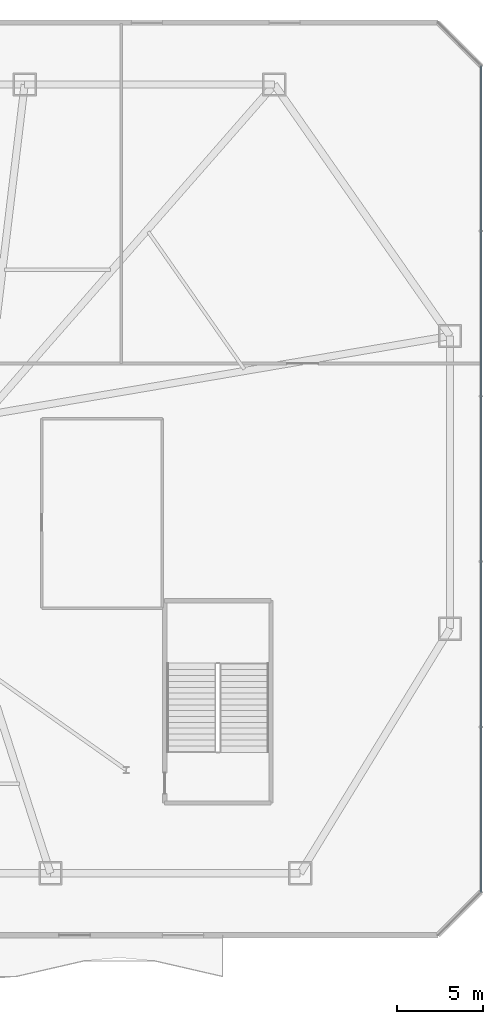
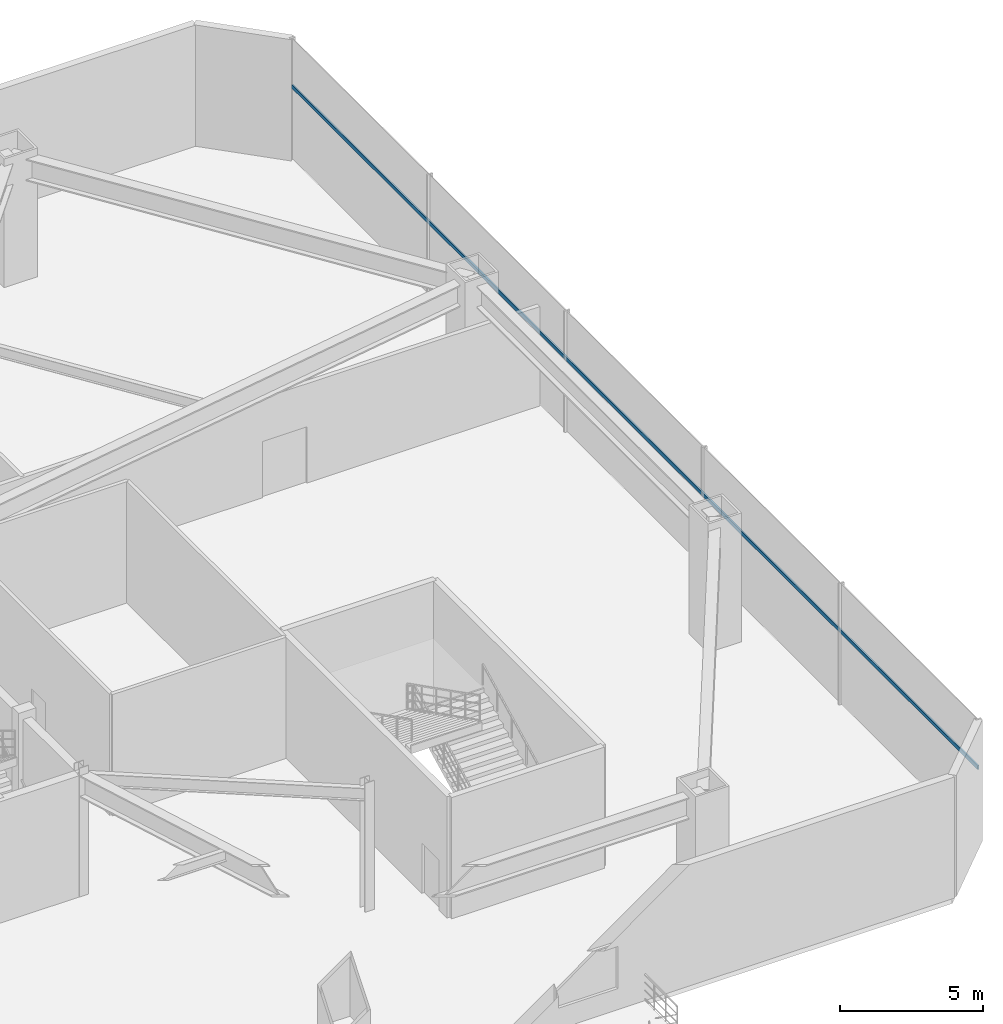
# One storey, part 10 of 20: 1 member, 1 element without a shape of its own.
"""IFC4 building model written with IfcOpenShell, lengths in metres."""

from ifc_helpers import new_model, si_unit, direction, frame, origin, origin_2d, place, context, subcontext, project, spatial, rectangle, extrude, source, transform, mapped, material, layer, layer_set, material_profile, profile_set, type_object, type_shapes, element, aggregate, save


model = new_model("IFC4")

# Units and contexts
model_context = context("Model", 3, precision=1e-05, world=origin(), true_north=direction((0.0, 1.0)))
body_context = subcontext(model_context, "Body", "Model", "MODEL_VIEW")
ifc_project = project(units=[si_unit("LENGTHUNIT", "METRE"), si_unit("AREAUNIT", "SQUARE_METRE"), si_unit("VOLUMEUNIT", "CUBIC_METRE"), si_unit("PLANEANGLEUNIT", "RADIAN"), si_unit("MASSUNIT", "GRAM", prefix="KILO")], contexts=[model_context])

# Site, building, storey
site_placement = place(None, origin())
site = spatial("IfcSite", under=ifc_project, at=site_placement, CompositionType="ELEMENT")
building_placement = place(site_placement, origin())
building = spatial("IfcBuilding", under=site, at=building_placement, Name="Varakhsha Concourse Tower", CompositionType="ELEMENT")
storey_placement = place(building_placement, frame((0.0, 0.0, 16.5)))
storey = spatial("IfcBuildingStorey", under=building, at=storey_placement, Name="L04", CompositionType="ELEMENT", Elevation=16.5)

# Curtain wall, member
ifc_material = material(Name="Anodised Bronze Architectural Aluminium AA 6063-T6", Category="aluminium")
ifc_layer = layer(ifc_material, 0.239990234375, Name="CW-SYS-01")
ifc_layer_set = layer_set([ifc_layer], Name="Anodised Bronze Architectural Aluminium AA 6063-T6")
curtain_wall_type = type_object("IfcCurtainWallType", Name="CW-SYS-01", PredefinedType="NOTDEFINED", material=ifc_layer_set)
curtain_wall_placement = place(storey_placement, origin())
curtain_wall = element("IfcCurtainWall", 1, at=curtain_wall_placement, inside=storey, type_object=curtain_wall_type, Name="L04 Podium Curtain Wall 03", PredefinedType="NOTDEFINED")
ifc_material_profile = material_profile(ifc_material, rectangle(XDim=0.06494140625, YDim=0.159912109375, at=origin_2d()), Name="CWT-160X65")
ifc_profile_set = profile_set([ifc_material_profile], Name="Anodised Bronze Architectural Aluminium AA 6063-T6")
member_type = type_object("IfcMemberType", Name="CWT-160X65", PredefinedType="USERDEFINED", material=ifc_profile_set)
shared_shape = source(origin(), body_context, "Body", "SweptSolid", [
    extrude(rectangle(XDim=0.06494140625, YDim=0.159912109375, at=origin_2d()), origin(), (0.0, 0.0, 1.0), 48.0),
])
type_shapes(member_type, [shared_shape])
member_placement = place(storey_placement, frame((77.0, 3.5, 3.10009765625), z_axis=(0.0, 1.0, 0.0), x_axis=(-1.0, 0.0, 0.0)))
member = element("IfcMember", 2, at=member_placement, type_object=member_type, Name="CW-POD-L04-03 Transom 01", ObjectType="TRANSOM", PredefinedType="USERDEFINED", context=body_context, shape_type="MappedRepresentation", body=[
    mapped(shared_shape, transform((0.0, 0.0, 0.0), scale=1.0)),
])
aggregate(curtain_wall, [member])

save(model, "model.ifc")
